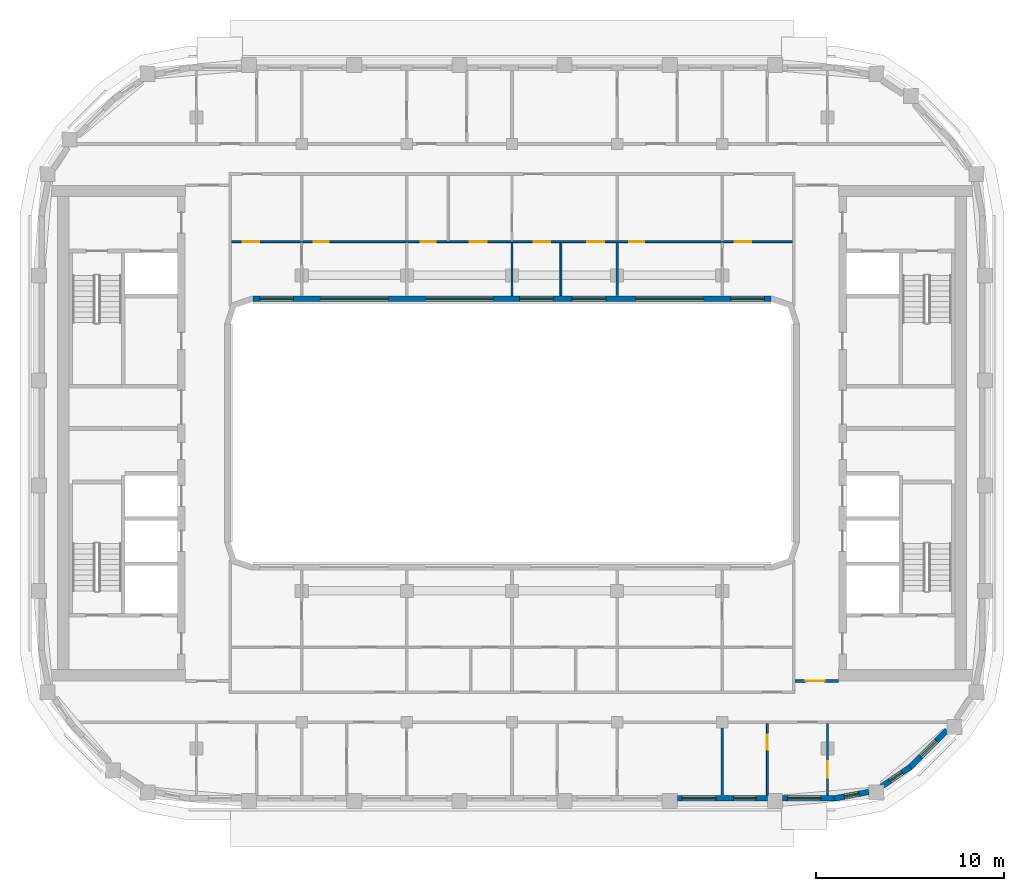
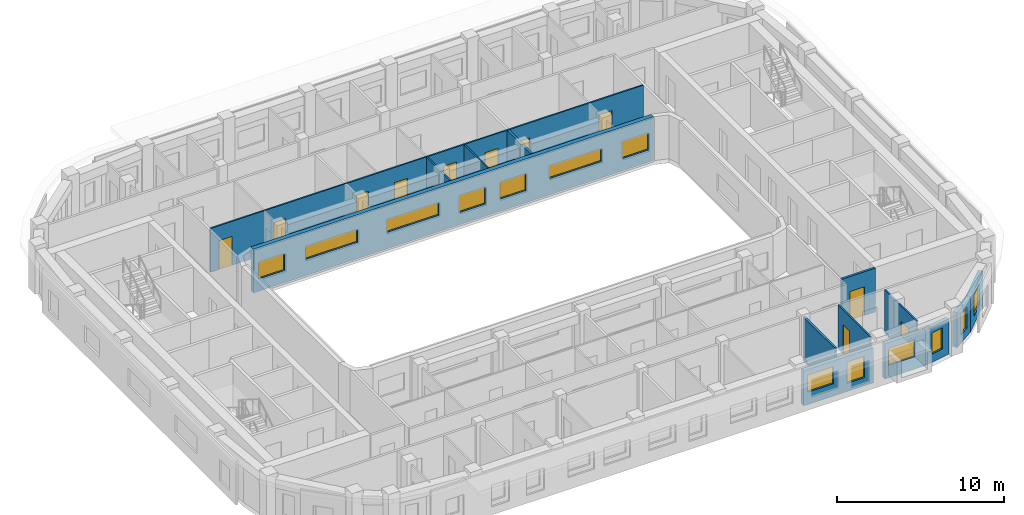
# One storey, part 5 of 16: 14 walls, 13 windows, 11 doors, 24 openings.
"""IFC4 building model written with IfcOpenShell, lengths in metres."""

from ifc_helpers import new_model, si_unit, direction, frame, frame_2d, origin, place, context, subcontext, project, spatial, rectangle, extrude, material, layer, layer_set, type_object, element, fill, save


model = new_model("IFC4")

# Units and contexts
model_context = context("Model", 3, precision=1e-05, world=origin(), true_north=direction((0.0, 1.0)))
body_context = subcontext(model_context, "Body", "Model", "MODEL_VIEW")
ifc_project = project(units=[si_unit("LENGTHUNIT", "METRE"), si_unit("AREAUNIT", "SQUARE_METRE"), si_unit("VOLUMEUNIT", "CUBIC_METRE"), si_unit("PLANEANGLEUNIT", "RADIAN"), si_unit("MASSUNIT", "GRAM", prefix="KILO")], contexts=[model_context])

# Site, building, storey
site_placement = place(None, origin())
site = spatial("IfcSite", under=ifc_project, at=site_placement, CompositionType="ELEMENT")
building_placement = place(site_placement, origin())
building = spatial("IfcBuilding", under=site, at=building_placement, Name="Kiln Ring Residences", CompositionType="ELEMENT")
storey_placement = place(building_placement, frame((0.0, 0.0, 259.199951171875)))
storey = spatial("IfcBuildingStorey", under=building, at=storey_placement, Name="L67", CompositionType="ELEMENT", Elevation=259.199951171875)

# Wall, openings, windows
ifc_material_1 = material(Name="Brick masonry, dark clay brick", Category="masonry")
ifc_layer_1 = layer(ifc_material_1, 0.300048828125)
ifc_layer_set_1 = layer_set([ifc_layer_1], Name="EW-300 BRICK WALL")
wall_type_1 = type_object("IfcWallType", Name="EW-300 BRICK WALL", PredefinedType="SOLIDWALL", material=ifc_layer_set_1)
wall_1_placement = place(storey_placement, frame((8.800048828125, -19.449951171875, 0.0), z_axis=(0.0, 0.0, 1.0), x_axis=(1.0, 0.0, 0.0)))
wall_1 = element("IfcWall", 1, at=wall_1_placement, inside=storey, type_object=wall_type_1, Name="Facade wall L67 9", PredefinedType="SOLIDWALL", context=body_context, shape_type="SweptSolid", body=[
    extrude(rectangle(XDim=4.800048828125, YDim=0.300048828125, at=frame_2d((2.39990234375, 0.0))), origin(), (0.0, 0.0, 1.0), 2.550048828125),
])
opening_1_placement = place(wall_1_placement, frame((0.262451171875, 0.0, 0.89990234375)))
opening_1 = element("IfcOpeningElement", 2, at=opening_1_placement, cuts=wall_1, Name="Opening W2", PredefinedType="OPENING", context=body_context, shape_type="SweptSolid", body=[
    extrude(rectangle(XDim=1.800048828125, YDim=1.25, at=frame_2d((0.89990234375, 0.625))), frame((0.0, 0.159912109375, 0.0), z_axis=(0.0, -1.0, 0.0), x_axis=(1.0, 0.0, 0.0)), (0.0, 0.0, 1.0), 0.320068359375),
])
opening_2_placement = place(wall_1_placement, frame((3.0, 0.0, 0.60009765625)))
opening_2 = element("IfcOpeningElement", 3, at=opening_2_placement, cuts=wall_1, Name="Opening W1", PredefinedType="OPENING", context=body_context, shape_type="SweptSolid", body=[
    extrude(rectangle(XDim=1.199951171875, YDim=1.550048828125, at=frame_2d((0.60009765625, 0.77490234375))), frame((0.0, 0.159912109375, 0.0), z_axis=(0.0, -1.0, 0.0), x_axis=(1.0, 0.0, 0.0)), (0.0, 0.0, 1.0), 0.320068359375),
])
ifc_material_2 = material(Name="Aluminium frame with double glazing", Category="aluminium")
window_type_1 = type_object("IfcWindowType", Name="WINDOW 1200 x 1550", PartitioningType="SINGLE_PANEL", PredefinedType="WINDOW", material=ifc_material_2)
window_1_placement = place(opening_2_placement, origin())
window_1 = element("IfcWindow", 4, at=window_1_placement, inside=storey, type_object=window_type_1, Name="Window L67 13", OverallHeight=1.550048828125, OverallWidth=1.199951171875, PartitioningType="SINGLE_PANEL", PredefinedType="WINDOW", context=body_context, shape_type="SweptSolid", body=[
    extrude(rectangle(XDim=1.199951171875, YDim=1.550048828125, at=frame_2d((0.60009765625, 0.77490234375))), frame((0.0, 0.030029296875, 0.0), z_axis=(0.0, -1.0, 0.0), x_axis=(1.0, 0.0, 0.0)), (0.0, 0.0, 1.0), 0.06005859375),
])
fill(opening_2, window_1)
ifc_material_3 = material(Name="Aluminium frame with double glazing", Category="aluminium")
window_type_2 = type_object("IfcWindowType", Name="WINDOW 1800 x 1250", PartitioningType="SINGLE_PANEL", PredefinedType="WINDOW", material=ifc_material_3)
window_2_placement = place(opening_1_placement, origin())
window_2 = element("IfcWindow", 5, at=window_2_placement, inside=storey, type_object=window_type_2, Name="Window L67 12", OverallHeight=1.25, OverallWidth=1.800048828125, PartitioningType="SINGLE_PANEL", PredefinedType="WINDOW", context=body_context, shape_type="SweptSolid", body=[
    extrude(rectangle(XDim=1.800048828125, YDim=1.25, at=frame_2d((0.89990234375, 0.625))), frame((0.0, 0.030029296875, 0.0), z_axis=(0.0, -1.0, 0.0), x_axis=(1.0, 0.0, 0.0)), (0.0, 0.0, 1.0), 0.06005859375),
])
fill(opening_1, window_2)

# Wall, opening, window
wall_2_placement = place(storey_placement, frame((14.39990234375, -19.449951171875, 0.0), z_axis=(0.0, 0.0, 1.0), x_axis=(1.0, 0.0, 0.0)))
wall_2 = element("IfcWall", 6, at=wall_2_placement, inside=storey, type_object=wall_type_1, Name="Facade wall L67 10", PredefinedType="SOLIDWALL", context=body_context, shape_type="SweptSolid", body=[
    extrude(rectangle(XDim=2.800048828125, YDim=0.300048828125, at=frame_2d((1.39990234375, 0.0))), origin(), (0.0, 0.0, 1.0), 2.550048828125),
])
opening_3_placement = place(wall_2_placement, frame((0.262451171875, 0.0, 0.89990234375)))
opening_3 = element("IfcOpeningElement", 7, at=opening_3_placement, cuts=wall_2, Name="Opening W2", PredefinedType="OPENING", context=body_context, shape_type="SweptSolid", body=[
    extrude(rectangle(XDim=1.800048828125, YDim=1.25, at=frame_2d((0.89990234375, 0.625))), frame((0.0, 0.159912109375, 0.0), z_axis=(0.0, -1.0, 0.0), x_axis=(1.0, 0.0, 0.0)), (0.0, 0.0, 1.0), 0.320068359375),
])
window_3_placement = place(opening_3_placement, origin())
window_3 = element("IfcWindow", 8, at=window_3_placement, inside=storey, type_object=window_type_2, Name="Window L67 14", OverallHeight=1.25, OverallWidth=1.800048828125, PartitioningType="SINGLE_PANEL", PredefinedType="WINDOW", context=body_context, shape_type="SweptSolid", body=[
    extrude(rectangle(XDim=1.800048828125, YDim=1.25, at=frame_2d((0.89990234375, 0.625))), frame((0.0, 0.030029296875, 0.0), z_axis=(0.0, -1.0, 0.0), x_axis=(1.0, 0.0, 0.0)), (0.0, 0.0, 1.0), 0.06005859375),
])
fill(opening_3, window_3)

wall_3_placement = place(storey_placement, frame((17.171875, -19.45263671875, 0.0), z_axis=(0.0, 0.0, 1.0), x_axis=(0.982301706131, 0.187305520826, 0.0)))
wall_3 = element("IfcWall", 9, at=wall_3_placement, inside=storey, type_object=wall_type_1, Name="Facade wall L67 11", PredefinedType="SOLIDWALL", context=body_context, shape_type="SweptSolid", body=[
    extrude(rectangle(XDim=1.856201171875, YDim=0.300048828125, at=frame_2d((0.92822265625, 0.0))), origin(), (0.0, 0.0, 1.0), 2.550048828125),
])
opening_4_placement = place(wall_3_placement, frame((0.528076171875, 0.0, 0.60009765625)))
opening_4 = element("IfcOpeningElement", 10, at=opening_4_placement, cuts=wall_3, Name="Opening W5", PredefinedType="OPENING", context=body_context, shape_type="SweptSolid", body=[
    extrude(rectangle(XDim=0.800048828125, YDim=1.550048828125, at=frame_2d((0.39990234375, 0.77490234375))), frame((0.0, 0.159912109375, 0.0), z_axis=(0.0, -1.0, 0.0), x_axis=(1.0, 0.0, 0.0)), (0.0, 0.0, 1.0), 0.320068359375),
])
ifc_material_4 = material(Name="Aluminium frame with double glazing", Category="aluminium")
window_type_3 = type_object("IfcWindowType", Name="WINDOW 800 x 1550", PartitioningType="SINGLE_PANEL", PredefinedType="WINDOW", material=ifc_material_4)
window_4_placement = place(opening_4_placement, origin())
window_4 = element("IfcWindow", 11, at=window_4_placement, inside=storey, type_object=window_type_3, Name="Window L67 15", OverallHeight=1.550048828125, OverallWidth=0.800048828125, PartitioningType="SINGLE_PANEL", PredefinedType="WINDOW", context=body_context, shape_type="SweptSolid", body=[
    extrude(rectangle(XDim=0.800048828125, YDim=1.550048828125, at=frame_2d((0.39990234375, 0.77490234375))), frame((0.0, 0.030029296875, 0.0), z_axis=(0.0, -1.0, 0.0), x_axis=(1.0, 0.0, 0.0)), (0.0, 0.0, 1.0), 0.06005859375),
])
fill(opening_4, window_4)

wall_4_placement = place(storey_placement, frame((19.677734375, -18.822265625, 0.0), z_axis=(0.0, 0.0, 1.0), x_axis=(0.826997446962, 0.562205676526, 0.0)))
wall_4 = element("IfcWall", 12, at=wall_4_placement, inside=storey, type_object=wall_type_1, Name="Facade wall L67 12", PredefinedType="SOLIDWALL", context=body_context, shape_type="SweptSolid", body=[
    extrude(rectangle(XDim=1.85595703125, YDim=0.300048828125, at=frame_2d((0.927978515625, 0.0))), origin(), (0.0, 0.0, 1.0), 2.550048828125),
])
opening_5_placement = place(wall_4_placement, frame((0.528076171875, 0.0, 0.60009765625)))
opening_5 = element("IfcOpeningElement", 13, at=opening_5_placement, cuts=wall_4, Name="Opening W5", PredefinedType="OPENING", context=body_context, shape_type="SweptSolid", body=[
    extrude(rectangle(XDim=0.800048828125, YDim=1.550048828125, at=frame_2d((0.39990234375, 0.77490234375))), frame((0.0, 0.159912109375, 0.0), z_axis=(0.0, -1.0, 0.0), x_axis=(1.0, 0.0, 0.0)), (0.0, 0.0, 1.0), 0.320068359375),
])
window_5_placement = place(opening_5_placement, origin())
window_5 = element("IfcWindow", 14, at=window_5_placement, inside=storey, type_object=window_type_3, Name="Window L67 16", OverallHeight=1.550048828125, OverallWidth=0.800048828125, PartitioningType="SINGLE_PANEL", PredefinedType="WINDOW", context=body_context, shape_type="SweptSolid", body=[
    extrude(rectangle(XDim=0.800048828125, YDim=1.550048828125, at=frame_2d((0.39990234375, 0.77490234375))), frame((0.0, 0.030029296875, 0.0), z_axis=(0.0, -1.0, 0.0), x_axis=(1.0, 0.0, 0.0)), (0.0, 0.0, 1.0), 0.06005859375),
])
fill(opening_5, window_5)

wall_5_placement = place(storey_placement, frame((21.19091796875, -17.796875, 0.0), z_axis=(0.0, 0.0, 1.0), x_axis=(0.707106781187, 0.707106781187, 0.0)))
wall_5 = element("IfcWall", 15, at=wall_5_placement, inside=storey, type_object=wall_type_1, Name="Facade wall L67 13", PredefinedType="SOLIDWALL", context=body_context, shape_type="SweptSolid", body=[
    extrude(rectangle(XDim=2.800048828125, YDim=0.300048828125, at=frame_2d((1.39990234375, 0.0))), origin(), (0.0, 0.0, 1.0), 2.550048828125),
])
opening_6_placement = place(wall_5_placement, frame((0.800048828125, 0.0, 0.60009765625)))
opening_6 = element("IfcOpeningElement", 16, at=opening_6_placement, cuts=wall_5, Name="Opening W1", PredefinedType="OPENING", context=body_context, shape_type="SweptSolid", body=[
    extrude(rectangle(XDim=1.199951171875, YDim=1.550048828125, at=frame_2d((0.60009765625, 0.77490234375))), frame((0.0, 0.159912109375, 0.0), z_axis=(0.0, -1.0, 0.0), x_axis=(1.0, 0.0, 0.0)), (0.0, 0.0, 1.0), 0.320068359375),
])
window_6_placement = place(opening_6_placement, origin())
window_6 = element("IfcWindow", 17, at=window_6_placement, inside=storey, type_object=window_type_1, Name="Window L67 17", OverallHeight=1.550048828125, OverallWidth=1.199951171875, PartitioningType="SINGLE_PANEL", PredefinedType="WINDOW", context=body_context, shape_type="SweptSolid", body=[
    extrude(rectangle(XDim=1.199951171875, YDim=1.550048828125, at=frame_2d((0.60009765625, 0.77490234375))), frame((0.0, 0.030029296875, 0.0), z_axis=(0.0, -1.0, 0.0), x_axis=(1.0, 0.0, 0.0)), (0.0, 0.0, 1.0), 0.06005859375),
])
fill(opening_6, window_6)

# Wall, openings, windows
wall_6_placement = place(storey_placement, frame((-13.800048828125, 7.14990234375, 0.0), z_axis=(0.0, 0.0, 1.0), x_axis=(1.0, 0.0, 0.0)))
wall_6 = element("IfcWall", 18, at=wall_6_placement, inside=storey, type_object=wall_type_1, Name="Facade wall L67 46", PredefinedType="SOLIDWALL", context=body_context, shape_type="SweptSolid", body=[
    extrude(rectangle(XDim=27.60009765625, YDim=0.300048828125, at=frame_2d((13.800048828125, 0.0))), origin(), (0.0, 0.0, 1.0), 3.199951171875),
])
opening_7_placement = place(wall_6_placement, frame((0.362548828125, 0.0, 0.89990234375)))
opening_7 = element("IfcOpeningElement", 19, at=opening_7_placement, cuts=wall_6, Name="Opening W2", PredefinedType="OPENING", context=body_context, shape_type="SweptSolid", body=[
    extrude(rectangle(XDim=1.800048828125, YDim=1.25, at=frame_2d((0.89990234375, 0.625))), frame((0.0, 0.159912109375, 0.0), z_axis=(0.0, -1.0, 0.0), x_axis=(1.0, 0.0, 0.0)), (0.0, 0.0, 1.0), 0.320068359375),
])
opening_8_placement = place(wall_6_placement, frame((3.60009765625, 0.0, 1.199951171875)))
opening_8 = element("IfcOpeningElement", 20, at=opening_8_placement, cuts=wall_6, Name="Opening W4", PredefinedType="OPENING", context=body_context, shape_type="SweptSolid", body=[
    extrude(rectangle(XDim=3.60009765625, YDim=0.949951171875, at=frame_2d((1.800048828125, 0.47509765625))), frame((0.0, 0.159912109375, 0.0), z_axis=(0.0, -1.0, 0.0), x_axis=(1.0, 0.0, 0.0)), (0.0, 0.0, 1.0), 0.320068359375),
])
opening_9_placement = place(wall_6_placement, frame((9.199951171875, 0.0, 1.199951171875)))
opening_9 = element("IfcOpeningElement", 21, at=opening_9_placement, cuts=wall_6, Name="Opening W4", PredefinedType="OPENING", context=body_context, shape_type="SweptSolid", body=[
    extrude(rectangle(XDim=3.60009765625, YDim=0.949951171875, at=frame_2d((1.800048828125, 0.47509765625))), frame((0.0, 0.159912109375, 0.0), z_axis=(0.0, -1.0, 0.0), x_axis=(1.0, 0.0, 0.0)), (0.0, 0.0, 1.0), 0.320068359375),
])
opening_10_placement = place(wall_6_placement, frame((14.199951171875, 0.0, 0.89990234375)))
opening_10 = element("IfcOpeningElement", 22, at=opening_10_placement, cuts=wall_6, Name="Opening W2", PredefinedType="OPENING", context=body_context, shape_type="SweptSolid", body=[
    extrude(rectangle(XDim=1.800048828125, YDim=1.25, at=frame_2d((0.89990234375, 0.625))), frame((0.0, 0.159912109375, 0.0), z_axis=(0.0, -1.0, 0.0), x_axis=(1.0, 0.0, 0.0)), (0.0, 0.0, 1.0), 0.320068359375),
])
opening_11_placement = place(wall_6_placement, frame((17.0, 0.0, 0.89990234375)))
opening_11 = element("IfcOpeningElement", 23, at=opening_11_placement, cuts=wall_6, Name="Opening W2", PredefinedType="OPENING", context=body_context, shape_type="SweptSolid", body=[
    extrude(rectangle(XDim=1.800048828125, YDim=1.25, at=frame_2d((0.89990234375, 0.625))), frame((0.0, 0.159912109375, 0.0), z_axis=(0.0, -1.0, 0.0), x_axis=(1.0, 0.0, 0.0)), (0.0, 0.0, 1.0), 0.320068359375),
])
opening_12_placement = place(wall_6_placement, frame((20.39990234375, 0.0, 1.199951171875)))
opening_12 = element("IfcOpeningElement", 24, at=opening_12_placement, cuts=wall_6, Name="Opening W4", PredefinedType="OPENING", context=body_context, shape_type="SweptSolid", body=[
    extrude(rectangle(XDim=3.60009765625, YDim=0.949951171875, at=frame_2d((1.800048828125, 0.47509765625))), frame((0.0, 0.159912109375, 0.0), z_axis=(0.0, -1.0, 0.0), x_axis=(1.0, 0.0, 0.0)), (0.0, 0.0, 1.0), 0.320068359375),
])
opening_13_placement = place(wall_6_placement, frame((25.4375, 0.0, 0.89990234375)))
opening_13 = element("IfcOpeningElement", 25, at=opening_13_placement, cuts=wall_6, Name="Opening W2", PredefinedType="OPENING", context=body_context, shape_type="SweptSolid", body=[
    extrude(rectangle(XDim=1.800048828125, YDim=1.25, at=frame_2d((0.89990234375, 0.625))), frame((0.0, 0.159912109375, 0.0), z_axis=(0.0, -1.0, 0.0), x_axis=(1.0, 0.0, 0.0)), (0.0, 0.0, 1.0), 0.320068359375),
])
window_7_placement = place(opening_7_placement, origin())
window_7 = element("IfcWindow", 26, at=window_7_placement, inside=storey, type_object=window_type_2, Name="Window L67 37", OverallHeight=1.25, OverallWidth=1.800048828125, PartitioningType="SINGLE_PANEL", PredefinedType="WINDOW", context=body_context, shape_type="SweptSolid", body=[
    extrude(rectangle(XDim=1.800048828125, YDim=1.25, at=frame_2d((0.89990234375, 0.625))), frame((0.0, 0.030029296875, 0.0), z_axis=(0.0, -1.0, 0.0), x_axis=(1.0, 0.0, 0.0)), (0.0, 0.0, 1.0), 0.06005859375),
])
fill(opening_7, window_7)
window_8_placement = place(opening_10_placement, origin())
window_8 = element("IfcWindow", 27, at=window_8_placement, inside=storey, type_object=window_type_2, Name="Window L67 40", OverallHeight=1.25, OverallWidth=1.800048828125, PartitioningType="SINGLE_PANEL", PredefinedType="WINDOW", context=body_context, shape_type="SweptSolid", body=[
    extrude(rectangle(XDim=1.800048828125, YDim=1.25, at=frame_2d((0.89990234375, 0.625))), frame((0.0, 0.030029296875, 0.0), z_axis=(0.0, -1.0, 0.0), x_axis=(1.0, 0.0, 0.0)), (0.0, 0.0, 1.0), 0.06005859375),
])
fill(opening_10, window_8)
window_9_placement = place(opening_11_placement, origin())
window_9 = element("IfcWindow", 28, at=window_9_placement, inside=storey, type_object=window_type_2, Name="Window L67 41", OverallHeight=1.25, OverallWidth=1.800048828125, PartitioningType="SINGLE_PANEL", PredefinedType="WINDOW", context=body_context, shape_type="SweptSolid", body=[
    extrude(rectangle(XDim=1.800048828125, YDim=1.25, at=frame_2d((0.89990234375, 0.625))), frame((0.0, 0.030029296875, 0.0), z_axis=(0.0, -1.0, 0.0), x_axis=(1.0, 0.0, 0.0)), (0.0, 0.0, 1.0), 0.06005859375),
])
fill(opening_11, window_9)
window_10_placement = place(opening_13_placement, origin())
window_10 = element("IfcWindow", 29, at=window_10_placement, inside=storey, type_object=window_type_2, Name="Window L67 43", OverallHeight=1.25, OverallWidth=1.800048828125, PartitioningType="SINGLE_PANEL", PredefinedType="WINDOW", context=body_context, shape_type="SweptSolid", body=[
    extrude(rectangle(XDim=1.800048828125, YDim=1.25, at=frame_2d((0.89990234375, 0.625))), frame((0.0, 0.030029296875, 0.0), z_axis=(0.0, -1.0, 0.0), x_axis=(1.0, 0.0, 0.0)), (0.0, 0.0, 1.0), 0.06005859375),
])
fill(opening_13, window_10)
ifc_material_5 = material(Name="Aluminium frame with double glazing", Category="aluminium")
window_type_4 = type_object("IfcWindowType", Name="WINDOW 3600 x 950", PartitioningType="SINGLE_PANEL", PredefinedType="WINDOW", material=ifc_material_5)
window_11_placement = place(opening_8_placement, origin())
window_11 = element("IfcWindow", 30, at=window_11_placement, inside=storey, type_object=window_type_4, Name="Window L67 38", OverallHeight=0.949951171875, OverallWidth=3.60009765625, PartitioningType="SINGLE_PANEL", PredefinedType="WINDOW", context=body_context, shape_type="SweptSolid", body=[
    extrude(rectangle(XDim=3.60009765625, YDim=0.949951171875, at=frame_2d((1.800048828125, 0.47509765625))), frame((0.0, 0.030029296875, 0.0), z_axis=(0.0, -1.0, 0.0), x_axis=(1.0, 0.0, 0.0)), (0.0, 0.0, 1.0), 0.06005859375),
])
fill(opening_8, window_11)
window_12_placement = place(opening_9_placement, origin())
window_12 = element("IfcWindow", 31, at=window_12_placement, inside=storey, type_object=window_type_4, Name="Window L67 39", OverallHeight=0.949951171875, OverallWidth=3.60009765625, PartitioningType="SINGLE_PANEL", PredefinedType="WINDOW", context=body_context, shape_type="SweptSolid", body=[
    extrude(rectangle(XDim=3.60009765625, YDim=0.949951171875, at=frame_2d((1.800048828125, 0.47509765625))), frame((0.0, 0.030029296875, 0.0), z_axis=(0.0, -1.0, 0.0), x_axis=(1.0, 0.0, 0.0)), (0.0, 0.0, 1.0), 0.06005859375),
])
fill(opening_9, window_12)
window_13_placement = place(opening_12_placement, origin())
window_13 = element("IfcWindow", 32, at=window_13_placement, inside=storey, type_object=window_type_4, Name="Window L67 42", OverallHeight=0.949951171875, OverallWidth=3.60009765625, PartitioningType="SINGLE_PANEL", PredefinedType="WINDOW", context=body_context, shape_type="SweptSolid", body=[
    extrude(rectangle(XDim=3.60009765625, YDim=0.949951171875, at=frame_2d((1.800048828125, 0.47509765625))), frame((0.0, 0.030029296875, 0.0), z_axis=(0.0, -1.0, 0.0), x_axis=(1.0, 0.0, 0.0)), (0.0, 0.0, 1.0), 0.06005859375),
])
fill(opening_12, window_13)

# Wall, openings, doors
ifc_material_6 = material(Name="Gypsum board on steel studs", Category="steel")
ifc_layer_2 = layer(ifc_material_6, 0.10009765625)
ifc_layer_set_2 = layer_set([ifc_layer_2], Name="PARTITION-100")
wall_type_2 = type_object("IfcWallType", Name="PARTITION-100", PredefinedType="PARTITIONING", material=ifc_layer_set_2)
wall_7_placement = place(storey_placement, frame((-14.925048828125, 10.199951171875, 0.0), z_axis=(0.0, 0.0, 1.0), x_axis=(1.0, 0.0, 0.0)))
wall_7 = element("IfcWall", 33, at=wall_7_placement, inside=storey, type_object=wall_type_2, Name="Partition 005", PredefinedType="PARTITIONING", context=body_context, shape_type="SweptSolid", body=[
    extrude(rectangle(XDim=29.85009765625, YDim=0.10009765625, at=frame_2d((14.925048828125, 0.0))), origin(), (0.0, 0.0, 1.0), 3.199951171875),
])
opening_14_placement = place(wall_7_placement, frame((4.375, 0.0, 0.0)))
opening_14 = element("IfcOpeningElement", 34, at=opening_14_placement, cuts=wall_7, Name="Opening L67-D006", PredefinedType="OPENING", context=body_context, shape_type="SweptSolid", body=[
    extrude(rectangle(XDim=0.800048828125, YDim=2.10009765625, at=frame_2d((0.39990234375, 1.050048828125))), frame((0.0, 0.06005859375, 0.0), z_axis=(0.0, -1.0, 0.0), x_axis=(1.0, 0.0, 0.0)), (0.0, 0.0, 1.0), 0.1201171875),
])
opening_15_placement = place(wall_7_placement, frame((0.575927734375, 0.0, 0.0)))
opening_15 = element("IfcOpeningElement", 35, at=opening_15_placement, cuts=wall_7, Name="Opening L67-D007", PredefinedType="OPENING", context=body_context, shape_type="SweptSolid", body=[
    extrude(rectangle(XDim=0.89990234375, YDim=2.10009765625, at=frame_2d((0.449951171875, 1.050048828125))), frame((0.0, 0.06005859375, 0.0), z_axis=(0.0, -1.0, 0.0), x_axis=(1.0, 0.0, 0.0)), (0.0, 0.0, 1.0), 0.1201171875),
])
opening_16_placement = place(wall_7_placement, frame((10.074951171875, 0.0, 0.0)))
opening_16 = element("IfcOpeningElement", 36, at=opening_16_placement, cuts=wall_7, Name="Opening L67-D011", PredefinedType="OPENING", context=body_context, shape_type="SweptSolid", body=[
    extrude(rectangle(XDim=0.800048828125, YDim=2.10009765625, at=frame_2d((0.39990234375, 1.050048828125))), frame((0.0, 0.06005859375, 0.0), z_axis=(0.0, -1.0, 0.0), x_axis=(1.0, 0.0, 0.0)), (0.0, 0.0, 1.0), 0.1201171875),
])
opening_17_placement = place(wall_7_placement, frame((12.675048828125, 0.0, 0.0)))
opening_17 = element("IfcOpeningElement", 37, at=opening_17_placement, cuts=wall_7, Name="Opening L67-D012", PredefinedType="OPENING", context=body_context, shape_type="SweptSolid", body=[
    extrude(rectangle(XDim=0.89990234375, YDim=2.10009765625, at=frame_2d((0.449951171875, 1.050048828125))), frame((0.0, 0.06005859375, 0.0), z_axis=(0.0, -1.0, 0.0), x_axis=(1.0, 0.0, 0.0)), (0.0, 0.0, 1.0), 0.1201171875),
])
opening_18_placement = place(wall_7_placement, frame((16.074951171875, 0.0, 0.0)))
opening_18 = element("IfcOpeningElement", 38, at=opening_18_placement, cuts=wall_7, Name="Opening L67-D013", PredefinedType="OPENING", context=body_context, shape_type="SweptSolid", body=[
    extrude(rectangle(XDim=0.89990234375, YDim=2.10009765625, at=frame_2d((0.449951171875, 1.050048828125))), frame((0.0, 0.06005859375, 0.0), z_axis=(0.0, -1.0, 0.0), x_axis=(1.0, 0.0, 0.0)), (0.0, 0.0, 1.0), 0.1201171875),
])
opening_19_placement = place(wall_7_placement, frame((18.925048828125, 0.0, 0.0)))
opening_19 = element("IfcOpeningElement", 39, at=opening_19_placement, cuts=wall_7, Name="Opening L67-D014", PredefinedType="OPENING", context=body_context, shape_type="SweptSolid", body=[
    extrude(rectangle(XDim=0.89990234375, YDim=2.10009765625, at=frame_2d((0.449951171875, 1.050048828125))), frame((0.0, 0.06005859375, 0.0), z_axis=(0.0, -1.0, 0.0), x_axis=(1.0, 0.0, 0.0)), (0.0, 0.0, 1.0), 0.1201171875),
])
opening_20_placement = place(wall_7_placement, frame((21.175048828125, 0.0, 0.0)))
opening_20 = element("IfcOpeningElement", 40, at=opening_20_placement, cuts=wall_7, Name="Opening L67-D016", PredefinedType="OPENING", context=body_context, shape_type="SweptSolid", body=[
    extrude(rectangle(XDim=0.800048828125, YDim=2.10009765625, at=frame_2d((0.39990234375, 1.050048828125))), frame((0.0, 0.06005859375, 0.0), z_axis=(0.0, -1.0, 0.0), x_axis=(1.0, 0.0, 0.0)), (0.0, 0.0, 1.0), 0.1201171875),
])
opening_21_placement = place(wall_7_placement, frame((26.77490234375, 0.0, 0.0)))
opening_21 = element("IfcOpeningElement", 41, at=opening_21_placement, cuts=wall_7, Name="Opening L67-D017", PredefinedType="OPENING", context=body_context, shape_type="SweptSolid", body=[
    extrude(rectangle(XDim=0.89990234375, YDim=2.10009765625, at=frame_2d((0.449951171875, 1.050048828125))), frame((0.0, 0.06005859375, 0.0), z_axis=(0.0, -1.0, 0.0), x_axis=(1.0, 0.0, 0.0)), (0.0, 0.0, 1.0), 0.1201171875),
])
ifc_material_7 = material(Name="Timber door leaf", Category="wood")
door_type_1 = type_object("IfcDoorType", Name="FLAT-DOOR-800-PL", OperationType="SINGLE_SWING_LEFT", PredefinedType="DOOR", material=ifc_material_7)
door_1_placement = place(opening_14_placement, origin())
door_1 = element("IfcDoor", 42, at=door_1_placement, inside=storey, type_object=door_type_1, Name="Door L67-D006", OperationType="SINGLE_SWING_RIGHT", OverallHeight=2.10009765625, OverallWidth=0.800048828125, PredefinedType="DOOR", context=body_context, shape_type="SweptSolid", body=[
    extrude(rectangle(XDim=0.800048828125, YDim=2.10009765625, at=frame_2d((0.39990234375, 1.050048828125))), frame((0.0, 0.02490234375, 0.0), z_axis=(0.0, -1.0, 0.0), x_axis=(1.0, 0.0, 0.0)), (0.0, 0.0, 1.0), 0.050048828125),
])
fill(opening_14, door_1)
door_2_placement = place(opening_16_placement, origin())
door_2 = element("IfcDoor", 43, at=door_2_placement, inside=storey, type_object=door_type_1, Name="Door L67-D011", OperationType="SINGLE_SWING_LEFT", OverallHeight=2.10009765625, OverallWidth=0.800048828125, PredefinedType="DOOR", context=body_context, shape_type="SweptSolid", body=[
    extrude(rectangle(XDim=0.800048828125, YDim=2.10009765625, at=frame_2d((0.39990234375, 1.050048828125))), frame((0.0, 0.02490234375, 0.0), z_axis=(0.0, -1.0, 0.0), x_axis=(1.0, 0.0, 0.0)), (0.0, 0.0, 1.0), 0.050048828125),
])
fill(opening_16, door_2)
door_3_placement = place(opening_20_placement, origin())
door_3 = element("IfcDoor", 44, at=door_3_placement, inside=storey, type_object=door_type_1, Name="Door L67-D016", OperationType="SINGLE_SWING_RIGHT", OverallHeight=2.10009765625, OverallWidth=0.800048828125, PredefinedType="DOOR", context=body_context, shape_type="SweptSolid", body=[
    extrude(rectangle(XDim=0.800048828125, YDim=2.10009765625, at=frame_2d((0.39990234375, 1.050048828125))), frame((0.0, 0.02490234375, 0.0), z_axis=(0.0, -1.0, 0.0), x_axis=(1.0, 0.0, 0.0)), (0.0, 0.0, 1.0), 0.050048828125),
])
fill(opening_20, door_3)
ifc_material_8 = material(Name="Timber door leaf", Category="wood")
door_type_2 = type_object("IfcDoorType", Name="FLAT-DOOR-900-PL", OperationType="SINGLE_SWING_LEFT", PredefinedType="DOOR", material=ifc_material_8)
door_4_placement = place(opening_15_placement, origin())
door_4 = element("IfcDoor", 45, at=door_4_placement, inside=storey, type_object=door_type_2, Name="Door L67-D007", OperationType="SINGLE_SWING_LEFT", OverallHeight=2.10009765625, OverallWidth=0.89990234375, PredefinedType="DOOR", context=body_context, shape_type="SweptSolid", body=[
    extrude(rectangle(XDim=0.89990234375, YDim=2.10009765625, at=frame_2d((0.449951171875, 1.050048828125))), frame((0.0, 0.02490234375, 0.0), z_axis=(0.0, -1.0, 0.0), x_axis=(1.0, 0.0, 0.0)), (0.0, 0.0, 1.0), 0.050048828125),
])
fill(opening_15, door_4)
door_5_placement = place(opening_17_placement, origin())
door_5 = element("IfcDoor", 46, at=door_5_placement, inside=storey, type_object=door_type_2, Name="Door L67-D012", OperationType="SINGLE_SWING_RIGHT", OverallHeight=2.10009765625, OverallWidth=0.89990234375, PredefinedType="DOOR", context=body_context, shape_type="SweptSolid", body=[
    extrude(rectangle(XDim=0.89990234375, YDim=2.10009765625, at=frame_2d((0.449951171875, 1.050048828125))), frame((0.0, 0.02490234375, 0.0), z_axis=(0.0, -1.0, 0.0), x_axis=(1.0, 0.0, 0.0)), (0.0, 0.0, 1.0), 0.050048828125),
])
fill(opening_17, door_5)
door_6_placement = place(opening_18_placement, origin())
door_6 = element("IfcDoor", 47, at=door_6_placement, inside=storey, type_object=door_type_2, Name="Door L67-D013", OperationType="SINGLE_SWING_RIGHT", OverallHeight=2.10009765625, OverallWidth=0.89990234375, PredefinedType="DOOR", context=body_context, shape_type="SweptSolid", body=[
    extrude(rectangle(XDim=0.89990234375, YDim=2.10009765625, at=frame_2d((0.449951171875, 1.050048828125))), frame((0.0, 0.02490234375, 0.0), z_axis=(0.0, -1.0, 0.0), x_axis=(1.0, 0.0, 0.0)), (0.0, 0.0, 1.0), 0.050048828125),
])
fill(opening_18, door_6)
door_7_placement = place(opening_19_placement, origin())
door_7 = element("IfcDoor", 48, at=door_7_placement, inside=storey, type_object=door_type_2, Name="Door L67-D014", OperationType="SINGLE_SWING_RIGHT", OverallHeight=2.10009765625, OverallWidth=0.89990234375, PredefinedType="DOOR", context=body_context, shape_type="SweptSolid", body=[
    extrude(rectangle(XDim=0.89990234375, YDim=2.10009765625, at=frame_2d((0.449951171875, 1.050048828125))), frame((0.0, 0.02490234375, 0.0), z_axis=(0.0, -1.0, 0.0), x_axis=(1.0, 0.0, 0.0)), (0.0, 0.0, 1.0), 0.050048828125),
])
fill(opening_19, door_7)
door_8_placement = place(opening_21_placement, origin())
door_8 = element("IfcDoor", 49, at=door_8_placement, inside=storey, type_object=door_type_2, Name="Door L67-D017", OperationType="SINGLE_SWING_LEFT", OverallHeight=2.10009765625, OverallWidth=0.89990234375, PredefinedType="DOOR", context=body_context, shape_type="SweptSolid", body=[
    extrude(rectangle(XDim=0.89990234375, YDim=2.10009765625, at=frame_2d((0.449951171875, 1.050048828125))), frame((0.0, 0.02490234375, 0.0), z_axis=(0.0, -1.0, 0.0), x_axis=(1.0, 0.0, 0.0)), (0.0, 0.0, 1.0), 0.050048828125),
])
fill(opening_21, door_8)

# Walls
for number, where, z_axis, x_axis, name in (
    (50, (0.0, 7.320068359375, 0.0), (0.0, 0.0, 1.0), (0.0, 1.0, 0.0), "Partition 032"),
    (51, (2.60009765625, 7.320068359375, 0.0), (0.0, 0.0, 1.0), (0.0, 1.0, 0.0), "Partition 039"),
):
    element("IfcWall", number, at=place(storey_placement, frame(where, z_axis=z_axis, x_axis=x_axis)), inside=storey, type_object=wall_type_2, Name=name, PredefinedType="PARTITIONING", context=body_context, shape_type="SweptSolid", body=[
        extrude(rectangle(XDim=2.829833984375, YDim=0.10009765625, at=frame_2d((1.4150390625, 0.0))), origin(), (0.0, 0.0, 1.0), 3.199951171875),
    ])

# Wall, opening, door
wall_8_placement = place(storey_placement, frame((13.60009765625, -19.280029296875, 0.0), z_axis=(0.0, 0.0, 1.0), x_axis=(0.0, 1.0, 0.0)))
wall_8 = element("IfcWall", 52, at=wall_8_placement, inside=storey, type_object=wall_type_2, Name="Partition 054", PredefinedType="PARTITIONING", context=body_context, shape_type="SweptSolid", body=[
    extrude(rectangle(XDim=3.804931640625, YDim=0.10009765625, at=frame_2d((1.90234375, 0.0))), origin(), (0.0, 0.0, 1.0), 3.199951171875),
])
opening_22_placement = place(wall_8_placement, frame((2.428955078125, 0.0, 0.0)))
opening_22 = element("IfcOpeningElement", 53, at=opening_22_placement, cuts=wall_8, Name="Opening L67-D055", PredefinedType="OPENING", context=body_context, shape_type="SweptSolid", body=[
    extrude(rectangle(XDim=0.800048828125, YDim=2.10009765625, at=frame_2d((0.39990234375, 1.050048828125))), frame((0.0, 0.06005859375, 0.0), z_axis=(0.0, -1.0, 0.0), x_axis=(1.0, 0.0, 0.0)), (0.0, 0.0, 1.0), 0.1201171875),
])
door_9_placement = place(opening_22_placement, origin())
door_9 = element("IfcDoor", 54, at=door_9_placement, inside=storey, type_object=door_type_1, Name="Door L67-D055", OperationType="SINGLE_SWING_LEFT", OverallHeight=2.10009765625, OverallWidth=0.800048828125, PredefinedType="DOOR", context=body_context, shape_type="SweptSolid", body=[
    extrude(rectangle(XDim=0.800048828125, YDim=2.10009765625, at=frame_2d((0.39990234375, 1.050048828125))), frame((0.0, 0.02490234375, 0.0), z_axis=(0.0, -1.0, 0.0), x_axis=(1.0, 0.0, 0.0)), (0.0, 0.0, 1.0), 0.050048828125),
])
fill(opening_22, door_9)

wall_9_placement = place(storey_placement, frame((16.800048828125, -19.280029296875, 0.0), z_axis=(0.0, 0.0, 1.0), x_axis=(0.0, 1.0, 0.0)))
wall_9 = element("IfcWall", 55, at=wall_9_placement, inside=storey, type_object=wall_type_2, Name="Partition 058", PredefinedType="PARTITIONING", context=body_context, shape_type="SweptSolid", body=[
    extrude(rectangle(XDim=3.804931640625, YDim=0.10009765625, at=frame_2d((1.90234375, 0.0))), origin(), (0.0, 0.0, 1.0), 3.199951171875),
])
opening_23_placement = place(wall_9_placement, frame((0.919921875, 0.0, 0.0)))
opening_23 = element("IfcOpeningElement", 56, at=opening_23_placement, cuts=wall_9, Name="Opening L67-D056", PredefinedType="OPENING", context=body_context, shape_type="SweptSolid", body=[
    extrude(rectangle(XDim=0.89990234375, YDim=2.10009765625, at=frame_2d((0.449951171875, 1.050048828125))), frame((0.0, 0.06005859375, 0.0), z_axis=(0.0, -1.0, 0.0), x_axis=(1.0, 0.0, 0.0)), (0.0, 0.0, 1.0), 0.1201171875),
])
door_10_placement = place(opening_23_placement, origin())
door_10 = element("IfcDoor", 57, at=door_10_placement, inside=storey, type_object=door_type_2, Name="Door L67-D056", OperationType="SINGLE_SWING_LEFT", OverallHeight=2.10009765625, OverallWidth=0.89990234375, PredefinedType="DOOR", context=body_context, shape_type="SweptSolid", body=[
    extrude(rectangle(XDim=0.89990234375, YDim=2.10009765625, at=frame_2d((0.449951171875, 1.050048828125))), frame((0.0, 0.02490234375, 0.0), z_axis=(0.0, -1.0, 0.0), x_axis=(1.0, 0.0, 0.0)), (0.0, 0.0, 1.0), 0.050048828125),
])
fill(opening_23, door_10)

ifc_material_9 = material(Name="Brick masonry partition", Category="masonry")
ifc_layer_3 = layer(ifc_material_9, 0.14990234375)
ifc_layer_set_3 = layer_set([ifc_layer_3], Name="PARTITION-150-ei60")
wall_type_3 = type_object("IfcWallType", Name="PARTITION-150-ei60", PredefinedType="PARTITIONING", material=ifc_layer_set_3)
wall_10_placement = place(storey_placement, frame((15.074951171875, -13.199951171875, 0.0), z_axis=(0.0, 0.0, 1.0), x_axis=(1.0, 0.0, 0.0)))
wall_10 = element("IfcWall", 58, at=wall_10_placement, inside=storey, type_object=wall_type_3, Name="Partition 003", PredefinedType="PARTITIONING", context=body_context, shape_type="SweptSolid", body=[
    extrude(rectangle(XDim=2.324951171875, YDim=0.14990234375, at=frame_2d((1.16259765625, 0.0))), origin(), (0.0, 0.0, 1.0), 3.199951171875),
])
opening_24_placement = place(wall_10_placement, frame((0.574951171875, 0.0, 0.0)))
opening_24 = element("IfcOpeningElement", 59, at=opening_24_placement, cuts=wall_10, Name="Opening L67-D004", PredefinedType="OPENING", context=body_context, shape_type="SweptSolid", body=[
    extrude(rectangle(XDim=1.0, YDim=2.10009765625, at=frame_2d((0.5, 1.050048828125))), frame((0.0, 0.0849609375, 0.0), z_axis=(0.0, -1.0, 0.0), x_axis=(1.0, 0.0, 0.0)), (0.0, 0.0, 1.0), 0.169921875),
])
ifc_material_10 = material(Name="Steel faced fire door leaf", Category="steel")
door_type_3 = type_object("IfcDoorType", Name="FLAT-DOOR-1000-FR", OperationType="SINGLE_SWING_LEFT", PredefinedType="DOOR", material=ifc_material_10)
door_11_placement = place(opening_24_placement, origin())
door_11 = element("IfcDoor", 60, at=door_11_placement, inside=storey, type_object=door_type_3, Name="Door L67-D004", OperationType="SINGLE_SWING_LEFT", OverallHeight=2.10009765625, OverallWidth=1.0, PredefinedType="DOOR", context=body_context, shape_type="SweptSolid", body=[
    extrude(rectangle(XDim=1.0, YDim=2.10009765625, at=frame_2d((0.5, 1.050048828125))), frame((0.0, 0.02490234375, 0.0), z_axis=(0.0, -1.0, 0.0), x_axis=(1.0, 0.0, 0.0)), (0.0, 0.0, 1.0), 0.050048828125),
])
fill(opening_24, door_11)

# Walls
wall_11_placement = place(storey_placement, frame((5.60009765625, 7.320068359375, 0.0), z_axis=(0.0, 0.0, 1.0), x_axis=(0.0, 1.0, 0.0)))
element("IfcWall", 61, at=wall_11_placement, inside=storey, type_object=wall_type_3, Name="Partition 045", PredefinedType="PARTITIONING", context=body_context, shape_type="SweptSolid", body=[
    extrude(rectangle(XDim=2.829833984375, YDim=0.14990234375, at=frame_2d((1.4150390625, 0.0))), origin(), (0.0, 0.0, 1.0), 3.199951171875),
])
wall_12_placement = place(storey_placement, frame((11.199951171875, -19.280029296875, 0.0), z_axis=(0.0, 0.0, 1.0), x_axis=(0.0, 1.0, 0.0)))
element("IfcWall", 62, at=wall_12_placement, inside=storey, type_object=wall_type_3, Name="Partition 052", PredefinedType="PARTITIONING", context=body_context, shape_type="SweptSolid", body=[
    extrude(rectangle(XDim=3.804931640625, YDim=0.14990234375, at=frame_2d((1.90234375, 0.0))), origin(), (0.0, 0.0, 1.0), 3.199951171875),
])

save(model, "model.ifc")
